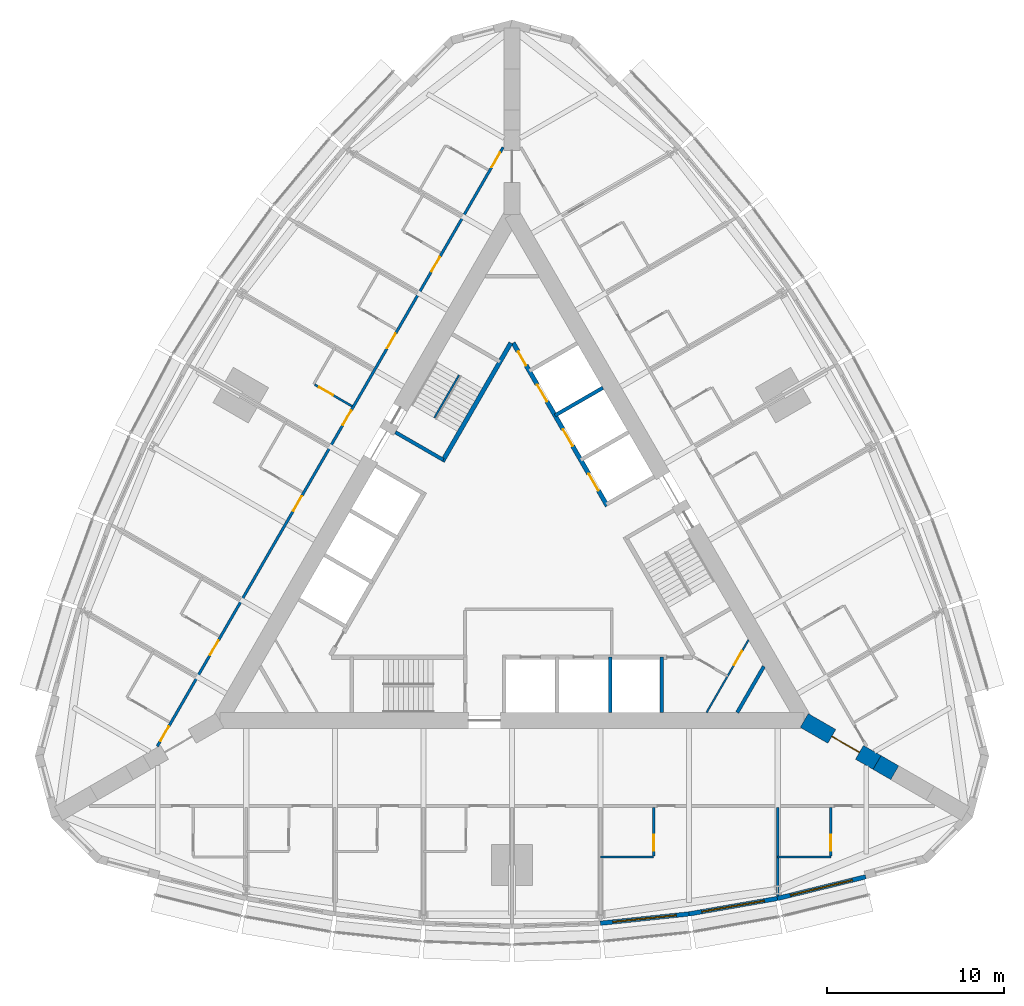
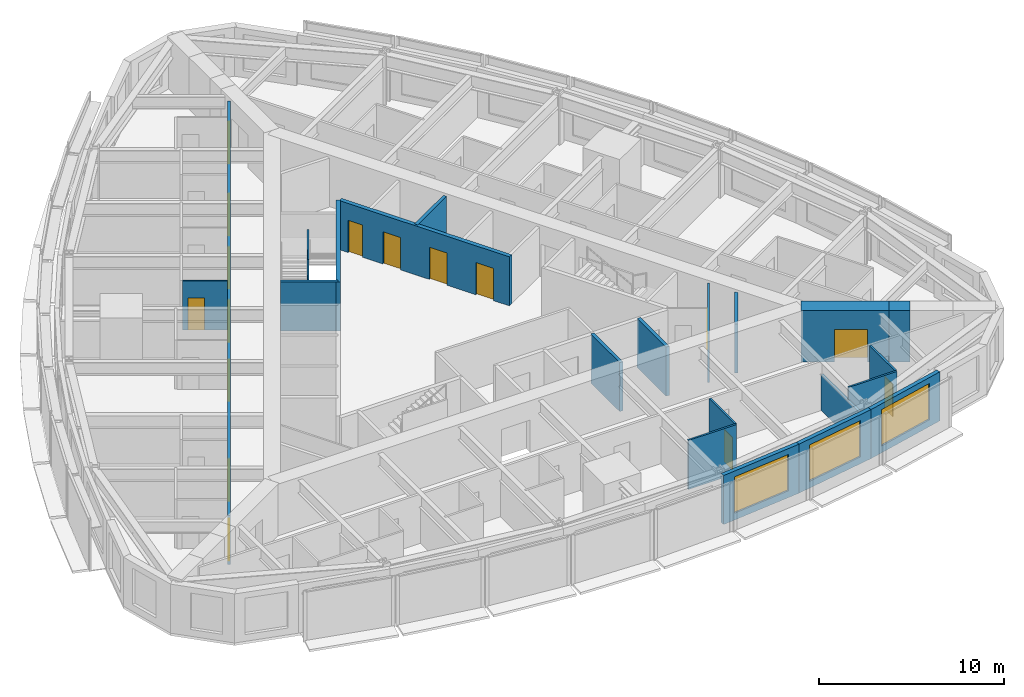
# One storey, part 10 of 14: 21 walls, 16 doors, 3 windows, 19 openings.
"""IFC4 building model written with IfcOpenShell, lengths in metres."""

from ifc_helpers import new_model, si_unit, direction, frame, frame_2d, origin, place, context, subcontext, project, spatial, rectangle, extrude, material, layer, layer_set, type_object, element, fill, save


model = new_model("IFC4")

# Units and contexts
model_context = context("Model", 3, precision=1e-05, world=origin(), true_north=direction((0.0, 1.0)))
body_context = subcontext(model_context, "Body", "Model", "MODEL_VIEW")
ifc_project = project(units=[si_unit("LENGTHUNIT", "METRE"), si_unit("AREAUNIT", "SQUARE_METRE"), si_unit("VOLUMEUNIT", "CUBIC_METRE"), si_unit("PLANEANGLEUNIT", "RADIAN"), si_unit("MASSUNIT", "GRAM", prefix="KILO")], contexts=[model_context])

# Site, building, storey
site_placement = place(None, origin())
site = spatial("IfcSite", under=ifc_project, at=site_placement, CompositionType="ELEMENT")
building_placement = place(site_placement, origin())
building = spatial("IfcBuilding", under=site, at=building_placement, Name="Trikona Tower", CompositionType="ELEMENT")
storey_placement = place(building_placement, frame((0.0, 0.0, 118.10009765625)))
storey = spatial("IfcBuildingStorey", under=building, at=storey_placement, Name="L30", CompositionType="ELEMENT", Elevation=118.10009765625)

# Wall
ifc_material_1 = material(Name="Metal stud and cement board", Category="gypsum")
ifc_layer_1 = layer(ifc_material_1, 0.1201171875)
ifc_layer_set_1 = layer_set([ifc_layer_1], Name="Bathroom wall 120")
wall_type_1 = type_object("IfcWallType", Name="Bathroom wall 120", PredefinedType="PLUMBINGWALL", material=ifc_layer_set_1)
wall_1_placement = place(storey_placement, frame((5.0, -17.226318359375, 0.0), z_axis=(0.0, 0.0, 1.0), x_axis=(1.0, 0.0, 0.0)))
element("IfcWall", 1, at=wall_1_placement, inside=storey, type_object=wall_type_1, Name="Bathroom wall 3005", PredefinedType="PLUMBINGWALL", context=body_context, shape_type="SweptSolid", body=[
    extrude(rectangle(XDim=3.0, YDim=0.1201171875, at=frame_2d((1.5, 0.0))), origin(), (0.0, 0.0, 1.0), 3.23486328125),
])

# Wall, opening, door
wall_2_placement = place(storey_placement, frame((8.0, -14.42626953125, 0.0), z_axis=(0.0, 0.0, 1.0), x_axis=(0.0, -1.0, 0.0)))
wall_2 = element("IfcWall", 2, at=wall_2_placement, inside=storey, type_object=wall_type_1, Name="Bathroom wall 3005", PredefinedType="PLUMBINGWALL", context=body_context, shape_type="SweptSolid", body=[
    extrude(rectangle(XDim=2.739990234375, YDim=0.1201171875, at=frame_2d((1.3701171875, 0.0))), origin(), (0.0, 0.0, 1.0), 3.23486328125),
])
opening_1_placement = place(wall_2_placement, frame((1.550048828125, 0.0, 0.0)))
opening_1 = element("IfcOpeningElement", 3, at=opening_1_placement, cuts=wall_2, Name="Opening D2", PredefinedType="OPENING", context=body_context, shape_type="SweptSolid", body=[
    extrude(rectangle(XDim=0.89990234375, YDim=2.1298828125, at=frame_2d((0.449951171875, 1.06494140625))), frame((0.0, 0.070068359375, 0.0), z_axis=(0.0, -1.0, 0.0), x_axis=(1.0, 0.0, 0.0)), (0.0, 0.0, 1.0), 0.14013671875),
])
ifc_material_2 = material(Name="Steel door frame with solid-core timber leaf", Category="steel")
door_type_1 = type_object("IfcDoorType", Name="Bathroom door 900x2130", OperationType="SLIDING_TO_LEFT", PredefinedType="DOOR", material=ifc_material_2)
door_1_placement = place(opening_1_placement, origin())
door_1 = element("IfcDoor", 4, at=door_1_placement, inside=storey, type_object=door_type_1, Name="Bathroom door 3005", OperationType="SLIDING_TO_LEFT", OverallHeight=2.1298828125, OverallWidth=0.89990234375, PredefinedType="DOOR", context=body_context, shape_type="SweptSolid", body=[
    extrude(rectangle(XDim=0.89990234375, YDim=2.1298828125, at=frame_2d((0.449951171875, 1.06494140625))), frame((0.0, 0.02490234375, 0.0), z_axis=(0.0, -1.0, 0.0), x_axis=(1.0, 0.0, 0.0)), (0.0, 0.0, 1.0), 0.050048828125),
])
fill(opening_1, door_1)

# Wall
wall_3_placement = place(storey_placement, frame((15.0, -17.226318359375, 0.0), z_axis=(0.0, 0.0, 1.0), x_axis=(1.0, 0.0, 0.0)))
element("IfcWall", 5, at=wall_3_placement, inside=storey, type_object=wall_type_1, Name="Bathroom wall 3006", PredefinedType="PLUMBINGWALL", context=body_context, shape_type="SweptSolid", body=[
    extrude(rectangle(XDim=3.0, YDim=0.1201171875, at=frame_2d((1.5, 0.0))), origin(), (0.0, 0.0, 1.0), 3.23486328125),
])

# Wall, opening, door
wall_4_placement = place(storey_placement, frame((18.0, -14.42626953125, 0.0), z_axis=(0.0, 0.0, 1.0), x_axis=(0.0, -1.0, 0.0)))
wall_4 = element("IfcWall", 6, at=wall_4_placement, inside=storey, type_object=wall_type_1, Name="Bathroom wall 3006", PredefinedType="PLUMBINGWALL", context=body_context, shape_type="SweptSolid", body=[
    extrude(rectangle(XDim=2.739990234375, YDim=0.1201171875, at=frame_2d((1.3701171875, 0.0))), origin(), (0.0, 0.0, 1.0), 3.23486328125),
])
opening_2_placement = place(wall_4_placement, frame((1.550048828125, 0.0, 0.0)))
opening_2 = element("IfcOpeningElement", 7, at=opening_2_placement, cuts=wall_4, Name="Opening D2", PredefinedType="OPENING", context=body_context, shape_type="SweptSolid", body=[
    extrude(rectangle(XDim=0.89990234375, YDim=2.1298828125, at=frame_2d((0.449951171875, 1.06494140625))), frame((0.0, 0.070068359375, 0.0), z_axis=(0.0, -1.0, 0.0), x_axis=(1.0, 0.0, 0.0)), (0.0, 0.0, 1.0), 0.14013671875),
])
door_2_placement = place(opening_2_placement, origin())
door_2 = element("IfcDoor", 8, at=door_2_placement, inside=storey, type_object=door_type_1, Name="Bathroom door 3006", OperationType="SLIDING_TO_LEFT", OverallHeight=2.1298828125, OverallWidth=0.89990234375, PredefinedType="DOOR", context=body_context, shape_type="SweptSolid", body=[
    extrude(rectangle(XDim=0.89990234375, YDim=2.1298828125, at=frame_2d((0.449951171875, 1.06494140625))), frame((0.0, 0.02490234375, 0.0), z_axis=(0.0, -1.0, 0.0), x_axis=(1.0, 0.0, 0.0)), (0.0, 0.0, 1.0), 0.050048828125),
])
fill(opening_2, door_2)

wall_5_placement = place(storey_placement, frame((-9.028564453125, 8.21484375, 0.0), z_axis=(0.0, 0.0, 1.0), x_axis=(-0.866023955769, 0.500002508028, 0.0)))
wall_5 = element("IfcWall", 9, at=wall_5_placement, inside=storey, type_object=wall_type_1, Name="Bathroom wall 3016", PredefinedType="PLUMBINGWALL", context=body_context, shape_type="SweptSolid", body=[
    extrude(rectangle(XDim=2.43994140625, YDim=0.1201171875, at=frame_2d((1.219970703125, 0.0))), origin(), (0.0, 0.0, 1.0), 3.23486328125),
])
opening_3_placement = place(wall_5_placement, frame((1.25, 0.0, 0.0)))
opening_3 = element("IfcOpeningElement", 10, at=opening_3_placement, cuts=wall_5, Name="Opening D2", PredefinedType="OPENING", context=body_context, shape_type="SweptSolid", body=[
    extrude(rectangle(XDim=0.89990234375, YDim=2.1298828125, at=frame_2d((0.449951171875, 1.06494140625))), frame((0.0, 0.070068359375, 0.0), z_axis=(0.0, -1.0, 0.0), x_axis=(1.0, 0.0, 0.0)), (0.0, 0.0, 1.0), 0.14013671875),
])
door_3_placement = place(opening_3_placement, origin())
door_3 = element("IfcDoor", 11, at=door_3_placement, inside=storey, type_object=door_type_1, Name="Bathroom door 3016", OperationType="SLIDING_TO_LEFT", OverallHeight=2.1298828125, OverallWidth=0.89990234375, PredefinedType="DOOR", context=body_context, shape_type="SweptSolid", body=[
    extrude(rectangle(XDim=0.89990234375, YDim=2.1298828125, at=frame_2d((0.449951171875, 1.06494140625))), frame((0.0, 0.02490234375, 0.0), z_axis=(0.0, -1.0, 0.0), x_axis=(1.0, 0.0, 0.0)), (0.0, 0.0, 1.0), 0.050048828125),
])
fill(opening_3, door_3)

ifc_material_3 = material(Name="Concrete f'c 10000 psi", Category="concrete")
ifc_layer_2 = layer(ifc_material_3, 0.89990234375)
ifc_layer_set_2 = layer_set([ifc_layer_2], Name="Buttress wall 900")
wall_type_2 = type_object("IfcWallType", Name="Buttress wall 900", PredefinedType="SHEAR", material=ifc_layer_set_2)
wall_6_placement = place(storey_placement, frame((16.5, -9.5263671875, 0.0), z_axis=(0.0, 0.0, 1.0), x_axis=(0.866031398331, -0.499989616998, 0.0)))
wall_6 = element("IfcWall", 12, at=wall_6_placement, inside=storey, type_object=wall_type_2, Name="Buttress wall 1", PredefinedType="SHEAR", context=body_context, shape_type="SweptSolid", body=[
    extrude(rectangle(XDim=4.74609375, YDim=0.89990234375, at=frame_2d((2.373046875, 0.0))), origin(), (0.0, 0.0, 1.0), 3.39990234375),
])
opening_4_placement = place(wall_6_placement, frame((1.800048828125, 0.0, 0.0)))
opening_4 = element("IfcOpeningElement", 13, at=opening_4_placement, cuts=wall_6, Name="Opening D10", PredefinedType="OPENING", context=body_context, shape_type="SweptSolid", body=[
    extrude(rectangle(XDim=1.800048828125, YDim=2.1298828125, at=frame_2d((0.89990234375, 1.06494140625))), frame((0.0, 0.4599609375, 0.0), z_axis=(0.0, -1.0, 0.0), x_axis=(1.0, 0.0, 0.0)), (0.0, 0.0, 1.0), 0.919921875),
])
ifc_material_4 = material(Name="Hollow metal door and frame", Category="steel")
door_type_2 = type_object("IfcDoorType", Name="Cross-corridor door pair 1800x2130", OperationType="DOUBLE_DOOR_DOUBLE_SWING", PredefinedType="DOOR", material=ifc_material_4)
door_4_placement = place(opening_4_placement, origin())
door_4 = element("IfcDoor", 14, at=door_4_placement, inside=storey, type_object=door_type_2, Name="Cross-corridor door 1", OperationType="DOUBLE_DOOR_DOUBLE_SWING", OverallHeight=2.1298828125, OverallWidth=1.800048828125, PredefinedType="DOOR", context=body_context, shape_type="SweptSolid", body=[
    extrude(rectangle(XDim=1.800048828125, YDim=2.1298828125, at=frame_2d((0.89990234375, 1.06494140625))), frame((0.0, 0.02490234375, 0.0), z_axis=(0.0, -1.0, 0.0), x_axis=(1.0, 0.0, 0.0)), (0.0, 0.0, 1.0), 0.050048828125),
])
fill(opening_4, door_4)

# Wall
wall_7_placement = place(storey_placement, frame((20.6103515625, -11.8994140625, 0.0), z_axis=(0.0, 0.0, 1.0), x_axis=(0.866009537788, -0.500027479704, 0.0)))
element("IfcWall", 15, at=wall_7_placement, inside=storey, type_object=wall_type_2, Name="Buttress wall 1 part 2", PredefinedType="SHEAR", context=body_context, shape_type="SweptSolid", body=[
    extrude(rectangle(XDim=1.15478515625, YDim=0.89990234375, at=frame_2d((0.577392578125, 0.0))), origin(), (0.0, 0.0, 1.0), 3.39990234375),
])

# Wall, openings, doors
ifc_material_5 = material(Name="Metal stud and gypsum board, 1-hour", Category="gypsum")
ifc_layer_3 = layer(ifc_material_5, 0.14990234375)
ifc_layer_set_3 = layer_set([ifc_layer_3], Name="Corridor wall 150")
wall_type_3 = type_object("IfcWallType", Name="Corridor wall 150", PredefinedType="PARTITIONING", material=ifc_layer_set_3)
wall_8_placement = place(storey_placement, frame((-0.5, 22.83642578125, 0.0), z_axis=(0.0, 0.0, 1.0), x_axis=(-0.500001677587, -0.866024435227, 0.0)))
wall_8 = element("IfcWall", 16, at=wall_8_placement, inside=storey, type_object=wall_type_3, Name="Corridor wall L30-3", PredefinedType="PARTITIONING", context=body_context, shape_type="SweptSolid", body=[
    extrude(rectangle(XDim=39.053955078125, YDim=0.14990234375, at=frame_2d((19.52685546875, 0.0))), origin(), (0.0, 0.0, 1.0), 3.23486328125),
])
opening_5_placement = place(wall_8_placement, frame((0.35205078125, 0.0, 0.0)))
opening_5 = element("IfcOpeningElement", 17, at=opening_5_placement, cuts=wall_8, Name="Opening D1", PredefinedType="OPENING", context=body_context, shape_type="SweptSolid", body=[
    extrude(rectangle(XDim=0.949951171875, YDim=2.1298828125, at=frame_2d((0.47509765625, 1.06494140625))), frame((0.0, 0.0849609375, 0.0), z_axis=(0.0, -1.0, 0.0), x_axis=(1.0, 0.0, 0.0)), (0.0, 0.0, 1.0), 0.169921875),
])
opening_6_placement = place(wall_8_placement, frame((7.152099609375, 0.0, 0.0)))
opening_6 = element("IfcOpeningElement", 18, at=opening_6_placement, cuts=wall_8, Name="Opening D1", PredefinedType="OPENING", context=body_context, shape_type="SweptSolid", body=[
    extrude(rectangle(XDim=0.949951171875, YDim=2.1298828125, at=frame_2d((0.47509765625, 1.06494140625))), frame((0.0, 0.0849609375, 0.0), z_axis=(0.0, -1.0, 0.0), x_axis=(1.0, 0.0, 0.0)), (0.0, 0.0, 1.0), 0.169921875),
])
opening_7_placement = place(wall_8_placement, frame((12.152099609375, 0.0, 0.0)))
opening_7 = element("IfcOpeningElement", 19, at=opening_7_placement, cuts=wall_8, Name="Opening D1", PredefinedType="OPENING", context=body_context, shape_type="SweptSolid", body=[
    extrude(rectangle(XDim=0.949951171875, YDim=2.1298828125, at=frame_2d((0.47509765625, 1.06494140625))), frame((0.0, 0.0849609375, 0.0), z_axis=(0.0, -1.0, 0.0), x_axis=(1.0, 0.0, 0.0)), (0.0, 0.0, 1.0), 0.169921875),
])
opening_8_placement = place(wall_8_placement, frame((17.152099609375, 0.0, 0.0)))
opening_8 = element("IfcOpeningElement", 20, at=opening_8_placement, cuts=wall_8, Name="Opening D1", PredefinedType="OPENING", context=body_context, shape_type="SweptSolid", body=[
    extrude(rectangle(XDim=0.949951171875, YDim=2.1298828125, at=frame_2d((0.47509765625, 1.06494140625))), frame((0.0, 0.0849609375, 0.0), z_axis=(0.0, -1.0, 0.0), x_axis=(1.0, 0.0, 0.0)), (0.0, 0.0, 1.0), 0.169921875),
])
opening_9_placement = place(wall_8_placement, frame((22.751953125, 0.0, 0.0)))
opening_9 = element("IfcOpeningElement", 21, at=opening_9_placement, cuts=wall_8, Name="Opening D1", PredefinedType="OPENING", context=body_context, shape_type="SweptSolid", body=[
    extrude(rectangle(XDim=0.949951171875, YDim=2.1298828125, at=frame_2d((0.47509765625, 1.06494140625))), frame((0.0, 0.0849609375, 0.0), z_axis=(0.0, -1.0, 0.0), x_axis=(1.0, 0.0, 0.0)), (0.0, 0.0, 1.0), 0.169921875),
])
opening_10_placement = place(wall_8_placement, frame((32.152099609375, 0.0, 0.0)))
opening_10 = element("IfcOpeningElement", 22, at=opening_10_placement, cuts=wall_8, Name="Opening D1", PredefinedType="OPENING", context=body_context, shape_type="SweptSolid", body=[
    extrude(rectangle(XDim=0.949951171875, YDim=2.1298828125, at=frame_2d((0.47509765625, 1.06494140625))), frame((0.0, 0.0849609375, 0.0), z_axis=(0.0, -1.0, 0.0), x_axis=(1.0, 0.0, 0.0)), (0.0, 0.0, 1.0), 0.169921875),
])
opening_11_placement = place(wall_8_placement, frame((37.751953125, 0.0, 0.0)))
opening_11 = element("IfcOpeningElement", 23, at=opening_11_placement, cuts=wall_8, Name="Opening D1", PredefinedType="OPENING", context=body_context, shape_type="SweptSolid", body=[
    extrude(rectangle(XDim=0.949951171875, YDim=2.1298828125, at=frame_2d((0.47509765625, 1.06494140625))), frame((0.0, 0.0849609375, 0.0), z_axis=(0.0, -1.0, 0.0), x_axis=(1.0, 0.0, 0.0)), (0.0, 0.0, 1.0), 0.169921875),
])
ifc_material_6 = material(Name="Steel door frame with solid-core timber leaf", Category="steel")
door_type_3 = type_object("IfcDoorType", Name="Guest room door 950x2130", OperationType="SINGLE_SWING_LEFT", PredefinedType="DOOR", material=ifc_material_6)
door_5_placement = place(opening_5_placement, origin())
door_5 = element("IfcDoor", 24, at=door_5_placement, inside=storey, type_object=door_type_3, Name="Room door 3013", OperationType="SINGLE_SWING_LEFT", OverallHeight=2.1298828125, OverallWidth=0.949951171875, PredefinedType="DOOR", context=body_context, shape_type="SweptSolid", body=[
    extrude(rectangle(XDim=0.949951171875, YDim=2.1298828125, at=frame_2d((0.47509765625, 1.06494140625))), frame((0.0, 0.02490234375, 0.0), z_axis=(0.0, -1.0, 0.0), x_axis=(1.0, 0.0, 0.0)), (0.0, 0.0, 1.0), 0.050048828125),
])
fill(opening_5, door_5)
door_6_placement = place(opening_6_placement, origin())
door_6 = element("IfcDoor", 25, at=door_6_placement, inside=storey, type_object=door_type_3, Name="Room door 3014", OperationType="SINGLE_SWING_RIGHT", OverallHeight=2.1298828125, OverallWidth=0.949951171875, PredefinedType="DOOR", context=body_context, shape_type="SweptSolid", body=[
    extrude(rectangle(XDim=0.949951171875, YDim=2.1298828125, at=frame_2d((0.47509765625, 1.06494140625))), frame((0.0, 0.02490234375, 0.0), z_axis=(0.0, -1.0, 0.0), x_axis=(1.0, 0.0, 0.0)), (0.0, 0.0, 1.0), 0.050048828125),
])
fill(opening_6, door_6)
door_7_placement = place(opening_7_placement, origin())
door_7 = element("IfcDoor", 26, at=door_7_placement, inside=storey, type_object=door_type_3, Name="Room door 3015", OperationType="SINGLE_SWING_LEFT", OverallHeight=2.1298828125, OverallWidth=0.949951171875, PredefinedType="DOOR", context=body_context, shape_type="SweptSolid", body=[
    extrude(rectangle(XDim=0.949951171875, YDim=2.1298828125, at=frame_2d((0.47509765625, 1.06494140625))), frame((0.0, 0.02490234375, 0.0), z_axis=(0.0, -1.0, 0.0), x_axis=(1.0, 0.0, 0.0)), (0.0, 0.0, 1.0), 0.050048828125),
])
fill(opening_7, door_7)
door_8_placement = place(opening_8_placement, origin())
door_8 = element("IfcDoor", 27, at=door_8_placement, inside=storey, type_object=door_type_3, Name="Room door 3016", OperationType="SINGLE_SWING_RIGHT", OverallHeight=2.1298828125, OverallWidth=0.949951171875, PredefinedType="DOOR", context=body_context, shape_type="SweptSolid", body=[
    extrude(rectangle(XDim=0.949951171875, YDim=2.1298828125, at=frame_2d((0.47509765625, 1.06494140625))), frame((0.0, 0.02490234375, 0.0), z_axis=(0.0, -1.0, 0.0), x_axis=(1.0, 0.0, 0.0)), (0.0, 0.0, 1.0), 0.050048828125),
])
fill(opening_8, door_8)
door_9_placement = place(opening_9_placement, origin())
door_9 = element("IfcDoor", 28, at=door_9_placement, inside=storey, type_object=door_type_3, Name="Room door 3017", OperationType="SINGLE_SWING_LEFT", OverallHeight=2.1298828125, OverallWidth=0.949951171875, PredefinedType="DOOR", context=body_context, shape_type="SweptSolid", body=[
    extrude(rectangle(XDim=0.949951171875, YDim=2.1298828125, at=frame_2d((0.47509765625, 1.06494140625))), frame((0.0, 0.02490234375, 0.0), z_axis=(0.0, -1.0, 0.0), x_axis=(1.0, 0.0, 0.0)), (0.0, 0.0, 1.0), 0.050048828125),
])
fill(opening_9, door_9)
door_10_placement = place(opening_10_placement, origin())
door_10 = element("IfcDoor", 29, at=door_10_placement, inside=storey, type_object=door_type_3, Name="Room door 3018", OperationType="SINGLE_SWING_RIGHT", OverallHeight=2.1298828125, OverallWidth=0.949951171875, PredefinedType="DOOR", context=body_context, shape_type="SweptSolid", body=[
    extrude(rectangle(XDim=0.949951171875, YDim=2.1298828125, at=frame_2d((0.47509765625, 1.06494140625))), frame((0.0, 0.02490234375, 0.0), z_axis=(0.0, -1.0, 0.0), x_axis=(1.0, 0.0, 0.0)), (0.0, 0.0, 1.0), 0.050048828125),
])
fill(opening_10, door_10)
door_11_placement = place(opening_11_placement, origin())
door_11 = element("IfcDoor", 30, at=door_11_placement, inside=storey, type_object=door_type_3, Name="Room door 3019", OperationType="SINGLE_SWING_RIGHT", OverallHeight=2.1298828125, OverallWidth=0.949951171875, PredefinedType="DOOR", context=body_context, shape_type="SweptSolid", body=[
    extrude(rectangle(XDim=0.949951171875, YDim=2.1298828125, at=frame_2d((0.47509765625, 1.06494140625))), frame((0.0, 0.02490234375, 0.0), z_axis=(0.0, -1.0, 0.0), x_axis=(1.0, 0.0, 0.0)), (0.0, 0.0, 1.0), 0.050048828125),
])
fill(opening_11, door_11)

ifc_material_7 = material(Name="Concrete f'c 8000 psi", Category="concrete")
ifc_layer_4 = layer(ifc_material_7, 0.25)
ifc_layer_set_4 = layer_set([ifc_layer_4], Name="Hub wall 250")
wall_type_4 = type_object("IfcWallType", Name="Hub wall 250", PredefinedType="SOLIDWALL", material=ifc_layer_set_4)
wall_9_placement = place(storey_placement, frame((5.37890625, 2.5859375, 0.0), z_axis=(0.0, 0.0, 1.0), x_axis=(-0.500001375892, 0.866024609411, 0.0)))
wall_9 = element("IfcWall", 31, at=wall_9_placement, inside=storey, type_object=wall_type_4, Name="Lift lobby wall B2", PredefinedType="SOLIDWALL", context=body_context, shape_type="SweptSolid", body=[
    extrude(rectangle(XDim=10.6328125, YDim=0.25, at=frame_2d((5.31640625, 0.0))), origin(), (0.0, 0.0, 1.0), 3.23486328125),
])
opening_12_placement = place(wall_9_placement, frame((9.1640625, 0.0, 0.0)))
opening_12 = element("IfcOpeningElement", 32, at=opening_12_placement, cuts=wall_9, Name="Opening D14", PredefinedType="OPENING", context=body_context, shape_type="SweptSolid", body=[
    extrude(rectangle(XDim=0.89990234375, YDim=2.1298828125, at=frame_2d((0.449951171875, 1.06494140625))), frame((0.0, 0.135009765625, 0.0), z_axis=(0.0, -1.0, 0.0), x_axis=(1.0, 0.0, 0.0)), (0.0, 0.0, 1.0), 0.27001953125),
])
opening_13_placement = place(wall_9_placement, frame((1.0, 0.0, 0.0)))
opening_13 = element("IfcOpeningElement", 33, at=opening_13_placement, cuts=wall_9, Name="Opening LD", PredefinedType="OPENING", context=body_context, shape_type="SweptSolid", body=[
    extrude(rectangle(XDim=1.10009765625, YDim=2.1298828125, at=frame_2d((0.550048828125, 1.06494140625))), frame((0.0, 0.135009765625, 0.0), z_axis=(0.0, -1.0, 0.0), x_axis=(1.0, 0.0, 0.0)), (0.0, 0.0, 1.0), 0.27001953125),
])
opening_14_placement = place(wall_9_placement, frame((3.89990234375, 0.0, 0.0)))
opening_14 = element("IfcOpeningElement", 34, at=opening_14_placement, cuts=wall_9, Name="Opening LD", PredefinedType="OPENING", context=body_context, shape_type="SweptSolid", body=[
    extrude(rectangle(XDim=1.10009765625, YDim=2.1298828125, at=frame_2d((0.550048828125, 1.06494140625))), frame((0.0, 0.135009765625, 0.0), z_axis=(0.0, -1.0, 0.0), x_axis=(1.0, 0.0, 0.0)), (0.0, 0.0, 1.0), 0.27001953125),
])
opening_15_placement = place(wall_9_placement, frame((6.800048828125, 0.0, 0.0)))
opening_15 = element("IfcOpeningElement", 35, at=opening_15_placement, cuts=wall_9, Name="Opening LD", PredefinedType="OPENING", context=body_context, shape_type="SweptSolid", body=[
    extrude(rectangle(XDim=1.10009765625, YDim=2.1298828125, at=frame_2d((0.550048828125, 1.06494140625))), frame((0.0, 0.135009765625, 0.0), z_axis=(0.0, -1.0, 0.0), x_axis=(1.0, 0.0, 0.0)), (0.0, 0.0, 1.0), 0.27001953125),
])
ifc_material_8 = material(Name="Stainless steel lift landing door", Category="steel")
door_type_4 = type_object("IfcDoorType", Name="Lift landing door 1100x2130", OperationType="DOUBLE_DOOR_SLIDING", PredefinedType="USERDEFINED", material=ifc_material_8)
door_12_placement = place(opening_13_placement, origin())
door_12 = element("IfcDoor", 36, at=door_12_placement, inside=storey, type_object=door_type_4, Name="Lift landing door L2-1", ObjectType="LIFT LANDING DOOR", OperationType="DOUBLE_DOOR_SLIDING", OverallHeight=2.1298828125, OverallWidth=1.10009765625, PredefinedType="USERDEFINED", context=body_context, shape_type="SweptSolid", body=[
    extrude(rectangle(XDim=1.10009765625, YDim=2.1298828125, at=frame_2d((0.550048828125, 1.06494140625))), frame((0.0, 0.02490234375, 0.0), z_axis=(0.0, -1.0, 0.0), x_axis=(1.0, 0.0, 0.0)), (0.0, 0.0, 1.0), 0.050048828125),
])
fill(opening_13, door_12)
door_13_placement = place(opening_14_placement, origin())
door_13 = element("IfcDoor", 37, at=door_13_placement, inside=storey, type_object=door_type_4, Name="Lift landing door L2-2", ObjectType="LIFT LANDING DOOR", OperationType="DOUBLE_DOOR_SLIDING", OverallHeight=2.1298828125, OverallWidth=1.10009765625, PredefinedType="USERDEFINED", context=body_context, shape_type="SweptSolid", body=[
    extrude(rectangle(XDim=1.10009765625, YDim=2.1298828125, at=frame_2d((0.550048828125, 1.06494140625))), frame((0.0, 0.02490234375, 0.0), z_axis=(0.0, -1.0, 0.0), x_axis=(1.0, 0.0, 0.0)), (0.0, 0.0, 1.0), 0.050048828125),
])
fill(opening_14, door_13)
door_14_placement = place(opening_15_placement, origin())
door_14 = element("IfcDoor", 38, at=door_14_placement, inside=storey, type_object=door_type_4, Name="Lift landing door L2-3", ObjectType="LIFT LANDING DOOR", OperationType="DOUBLE_DOOR_SLIDING", OverallHeight=2.1298828125, OverallWidth=1.10009765625, PredefinedType="USERDEFINED", context=body_context, shape_type="SweptSolid", body=[
    extrude(rectangle(XDim=1.10009765625, YDim=2.1298828125, at=frame_2d((0.550048828125, 1.06494140625))), frame((0.0, 0.02490234375, 0.0), z_axis=(0.0, -1.0, 0.0), x_axis=(1.0, 0.0, 0.0)), (0.0, 0.0, 1.0), 0.050048828125),
])
fill(opening_15, door_14)
ifc_material_9 = material(Name="Hollow metal door and frame", Category="steel")
door_type_5 = type_object("IfcDoorType", Name="Service room door 900x2130", OperationType="SINGLE_SWING_LEFT", PredefinedType="DOOR", material=ifc_material_9)
door_15_placement = place(opening_12_placement, origin())
door_15 = element("IfcDoor", 39, at=door_15_placement, inside=storey, type_object=door_type_5, Name="Door Linen store LIN", OperationType="SINGLE_SWING_RIGHT", OverallHeight=2.1298828125, OverallWidth=0.89990234375, PredefinedType="DOOR", context=body_context, shape_type="SweptSolid", body=[
    extrude(rectangle(XDim=0.89990234375, YDim=2.1298828125, at=frame_2d((0.449951171875, 1.06494140625))), frame((0.0, 0.02490234375, 0.0), z_axis=(0.0, -1.0, 0.0), x_axis=(1.0, 0.0, 0.0)), (0.0, 0.0, 1.0), 0.050048828125),
])
fill(opening_12, door_15)

# Wall
wall_10_placement = place(storey_placement, frame((-0.0625, 11.794189453125, 0.0), z_axis=(0.0, 0.0, 1.0), x_axis=(-0.500006680225, -0.86602154692, 0.0)))
element("IfcWall", 40, at=wall_10_placement, inside=storey, type_object=wall_type_4, Name="Lift lobby wall C1", PredefinedType="SOLIDWALL", context=body_context, shape_type="SweptSolid", body=[
    extrude(rectangle(XDim=7.73291015625, YDim=0.25, at=frame_2d((3.866455078125, 0.0))), origin(), (0.0, 0.0, 1.0), 3.23486328125),
])

# Wall, opening, window
ifc_material_10 = material(Name="Insulated precast concrete spandrel panel", Category="concrete")
ifc_layer_5 = layer(ifc_material_10, 0.25)
ifc_layer_set_5 = layer_set([ifc_layer_5], Name="Inner skin wall 250")
wall_type_5 = type_object("IfcWallType", Name="Inner skin wall 250", PredefinedType="STANDARD", material=ifc_layer_set_5)
wall_11_placement = place(storey_placement, frame((4.98681640625, -20.975830078125, 0.0), z_axis=(0.0, 0.0, 1.0), x_axis=(0.994534683851, 0.104406717299, 0.0)))
wall_11 = element("IfcWall", 41, at=wall_11_placement, inside=storey, type_object=wall_type_5, Name="External wall L30-05", PredefinedType="STANDARD", context=body_context, shape_type="SweptSolid", body=[
    extrude(rectangle(XDim=5.027587890625, YDim=0.25, at=frame_2d((2.513671875, 0.0))), origin(), (0.0, 0.0, 1.0), 3.23486328125),
])
opening_16_placement = place(wall_11_placement, frame((0.713623046875, 0.0, 0.449951171875)))
opening_16 = element("IfcOpeningElement", 42, at=opening_16_placement, cuts=wall_11, Name="Opening W3624", PredefinedType="OPENING", context=body_context, shape_type="SweptSolid", body=[
    extrude(rectangle(XDim=3.60009765625, YDim=2.39990234375, at=frame_2d((1.800048828125, 1.199951171875))), frame((0.0, 0.135009765625, 0.0), z_axis=(0.0, -1.0, 0.0), x_axis=(1.0, 0.0, 0.0)), (0.0, 0.0, 1.0), 0.27001953125),
])
ifc_material_11 = material(Name="Aluminium-framed double glazing", Category="aluminium")
window_type = type_object("IfcWindowType", Name="Window 3600x2400", PartitioningType="SINGLE_PANEL", PredefinedType="WINDOW", material=ifc_material_11)
window_1_placement = place(opening_16_placement, origin())
window_1 = element("IfcWindow", 43, at=window_1_placement, inside=storey, type_object=window_type, Name="Window 3005", OverallHeight=2.39990234375, OverallWidth=3.60009765625, PartitioningType="SINGLE_PANEL", PredefinedType="WINDOW", context=body_context, shape_type="SweptSolid", body=[
    extrude(rectangle(XDim=3.60009765625, YDim=2.39990234375, at=frame_2d((1.800048828125, 1.199951171875))), frame((0.0, 0.030029296875, 0.0), z_axis=(0.0, -1.0, 0.0), x_axis=(1.0, 0.0, 0.0)), (0.0, 0.0, 1.0), 0.06005859375),
])
fill(opening_16, window_1)

wall_12_placement = place(storey_placement, frame((9.978515625, -20.4521484375, 0.0), z_axis=(0.0, 0.0, 1.0), x_axis=(0.985030467156, 0.172380331752, 0.0)))
wall_12 = element("IfcWall", 44, at=wall_12_placement, inside=storey, type_object=wall_type_5, Name="External wall L30-06", PredefinedType="STANDARD", context=body_context, shape_type="SweptSolid", body=[
    extrude(rectangle(XDim=5.075927734375, YDim=0.25, at=frame_2d((2.5380859375, 0.0))), origin(), (0.0, 0.0, 1.0), 3.23486328125),
])
opening_17_placement = place(wall_12_placement, frame((0.738037109375, 0.0, 0.449951171875)))
opening_17 = element("IfcOpeningElement", 45, at=opening_17_placement, cuts=wall_12, Name="Opening W3624", PredefinedType="OPENING", context=body_context, shape_type="SweptSolid", body=[
    extrude(rectangle(XDim=3.60009765625, YDim=2.39990234375, at=frame_2d((1.800048828125, 1.199951171875))), frame((0.0, 0.135009765625, 0.0), z_axis=(0.0, -1.0, 0.0), x_axis=(1.0, 0.0, 0.0)), (0.0, 0.0, 1.0), 0.27001953125),
])
window_2_placement = place(opening_17_placement, origin())
window_2 = element("IfcWindow", 46, at=window_2_placement, inside=storey, type_object=window_type, Name="Window 3005", OverallHeight=2.39990234375, OverallWidth=3.60009765625, PartitioningType="SINGLE_PANEL", PredefinedType="WINDOW", context=body_context, shape_type="SweptSolid", body=[
    extrude(rectangle(XDim=3.60009765625, YDim=2.39990234375, at=frame_2d((1.800048828125, 1.199951171875))), frame((0.0, 0.030029296875, 0.0), z_axis=(0.0, -1.0, 0.0), x_axis=(1.0, 0.0, 0.0)), (0.0, 0.0, 1.0), 0.06005859375),
])
fill(opening_17, window_2)

wall_13_placement = place(storey_placement, frame((14.97021484375, -19.578857421875, 0.0), z_axis=(0.0, 0.0, 1.0), x_axis=(0.971270024053, 0.237980126011, 0.0)))
wall_13 = element("IfcWall", 47, at=wall_13_placement, inside=storey, type_object=wall_type_5, Name="External wall L30-07", PredefinedType="STANDARD", context=body_context, shape_type="SweptSolid", body=[
    extrude(rectangle(XDim=5.14794921875, YDim=0.25, at=frame_2d((2.573974609375, 0.0))), origin(), (0.0, 0.0, 1.0), 3.23486328125),
])
opening_18_placement = place(wall_13_placement, frame((0.77392578125, 0.0, 0.449951171875)))
opening_18 = element("IfcOpeningElement", 48, at=opening_18_placement, cuts=wall_13, Name="Opening W3624", PredefinedType="OPENING", context=body_context, shape_type="SweptSolid", body=[
    extrude(rectangle(XDim=3.60009765625, YDim=2.39990234375, at=frame_2d((1.800048828125, 1.199951171875))), frame((0.0, 0.135009765625, 0.0), z_axis=(0.0, -1.0, 0.0), x_axis=(1.0, 0.0, 0.0)), (0.0, 0.0, 1.0), 0.27001953125),
])
window_3_placement = place(opening_18_placement, origin())
window_3 = element("IfcWindow", 49, at=window_3_placement, inside=storey, type_object=window_type, Name="Window 3006", OverallHeight=2.39990234375, OverallWidth=3.60009765625, PartitioningType="SINGLE_PANEL", PredefinedType="WINDOW", context=body_context, shape_type="SweptSolid", body=[
    extrude(rectangle(XDim=3.60009765625, YDim=2.39990234375, at=frame_2d((1.800048828125, 1.199951171875))), frame((0.0, 0.030029296875, 0.0), z_axis=(0.0, -1.0, 0.0), x_axis=(1.0, 0.0, 0.0)), (0.0, 0.0, 1.0), 0.06005859375),
])
fill(opening_18, window_3)

# Walls
ifc_material_12 = material(Name="Metal stud and gypsum board, 1-hour acoustic", Category="gypsum")
ifc_layer_6 = layer(ifc_material_12, 0.14990234375)
ifc_layer_set_6 = layer_set([ifc_layer_6], Name="Party wall 150")
wall_type_6 = type_object("IfcWallType", Name="Party wall 150", PredefinedType="PARTITIONING", material=ifc_layer_set_6)
wall_14_placement = place(storey_placement, frame((15.0, -14.42626953125, 0.0), z_axis=(0.0, 0.0, 1.0), x_axis=(0.0, -1.0, 0.0)))
element("IfcWall", 50, at=wall_14_placement, inside=storey, type_object=wall_type_6, Name="Partition L30 F1 u15", PredefinedType="PARTITIONING", context=body_context, shape_type="SweptSolid", body=[
    extrude(rectangle(XDim=5.0166015625, YDim=0.14990234375, at=frame_2d((2.50830078125, 0.0))), origin(), (0.0, 0.0, 1.0), 2.38916015625),
])
ifc_material_13 = material(Name="Concrete f'c 8000 psi", Category="concrete")
ifc_layer_7 = layer(ifc_material_13, 0.199951171875)
ifc_layer_set_7 = layer_set([ifc_layer_7], Name="Shaft wall 200")
wall_type_7 = type_object("IfcWallType", Name="Shaft wall 200", PredefinedType="SOLIDWALL", material=ifc_layer_set_7)
for number, where, z_axis, x_axis, name in (
    (51, (5.550048828125, -5.951416015625, 0.0), (0.0, 0.0, 1.0), (0.0, -1.0, 0.0), "Shaft wall A5"),
    (52, (8.449951171875, -5.951416015625, 0.0), (0.0, 0.0, 1.0), (0.0, -1.0, 0.0), "Shaft wall A6"),
    (53, (2.428955078125, 7.695556640625, 0.0), (0.0, 0.0, 1.0), (0.866022959057, 0.500004234368, 0.0), "Shaft wall B5"),
):
    element("IfcWall", number, at=place(storey_placement, frame(where, z_axis=z_axis, x_axis=x_axis)), inside=storey, type_object=wall_type_7, Name=name, PredefinedType="SOLIDWALL", context=body_context, shape_type="SweptSolid", body=[
        extrude(rectangle(XDim=3.125, YDim=0.199951171875, at=frame_2d((1.5625, 0.0))), origin(), (0.0, 0.0, 1.0), 3.23486328125),
    ])
wall_15_placement = place(storey_placement, frame((14.219482421875, -6.476318359375, 0.0), z_axis=(0.0, 0.0, 1.0), x_axis=(-0.499952404951, -0.866052881055, 0.0)))
element("IfcWall", 54, at=wall_15_placement, inside=storey, type_object=wall_type_7, Name="Riser wall L30-RS1", PredefinedType="SOLIDWALL", context=body_context, shape_type="SweptSolid", body=[
    extrude(rectangle(XDim=3.002197265625, YDim=0.199951171875, at=frame_2d((1.5009765625, 0.0))), origin(), (0.0, 0.0, 1.0), 3.23486328125),
])
ifc_material_14 = material(Name="Concrete f'c 8000 psi", Category="concrete")
ifc_layer_8 = layer(ifc_material_14, 0.199951171875)
ifc_layer_set_8 = layer_set([ifc_layer_8], Name="Shaft wall 200 load-bearing")
wall_type_8 = type_object("IfcWallType", Name="Shaft wall 200 load-bearing", PredefinedType="SOLIDWALL", material=ifc_layer_set_8)
wall_16_placement = place(storey_placement, frame((-3.87890625, 5.18408203125, 0.0), z_axis=(0.0, 0.0, 1.0), x_axis=(-0.866022959057, 0.500004234368, 0.0)))
element("IfcWall", 55, at=wall_16_placement, inside=storey, type_object=wall_type_8, Name="Shaft wall C2", PredefinedType="SOLIDWALL", context=body_context, shape_type="SweptSolid", body=[
    extrude(rectangle(XDim=3.125, YDim=0.199951171875, at=frame_2d((1.5625, 0.0))), origin(), (0.0, 0.0, 1.0), 3.23486328125),
])
ifc_material_15 = material(Name="Concrete f'c 5000 psi", Category="concrete")
ifc_layer_9 = layer(ifc_material_15, 0.10009765625)
ifc_layer_set_9 = layer_set([ifc_layer_9], Name="Stair spine wall 100")
wall_type_9 = type_object("IfcWallType", Name="Stair spine wall 100", PredefinedType="SOLIDWALL", material=ifc_layer_set_9)
wall_17_placement = place(storey_placement, frame((-2.98779296875, 9.9775390625, 0.0), z_axis=(0.0, 0.0, 1.0), x_axis=(-0.499992232847, -0.866029888106, 0.0)))
element("IfcWall", 56, at=wall_17_placement, inside=storey, type_object=wall_type_9, Name="Stair C spine wall L30", PredefinedType="SOLIDWALL", context=body_context, shape_type="SweptSolid", body=[
    extrude(rectangle(XDim=2.7939453125, YDim=0.10009765625, at=frame_2d((1.39697265625, 0.0))), origin(), (0.0, 0.0, 1.0), 3.39990234375),
])

# Wall, opening, door
ifc_material_16 = material(Name="Metal stud and gypsum board, acoustic", Category="gypsum")
ifc_layer_10 = layer(ifc_material_16, 0.10009765625)
ifc_layer_set_10 = layer_set([ifc_layer_10], Name="Suite partition 100")
wall_type_10 = type_object("IfcWallType", Name="Suite partition 100", PredefinedType="PARTITIONING", material=ifc_layer_set_10)
wall_18_placement = place(storey_placement, frame((13.353515625, -4.976318359375, 0.0), z_axis=(0.0, 0.0, 1.0), x_axis=(-0.499999210213, -0.866025859768, 0.0)))
wall_18 = element("IfcWall", 57, at=wall_18_placement, inside=storey, type_object=wall_type_10, Name="Store partition L30-RS1", PredefinedType="PARTITIONING", context=body_context, shape_type="SweptSolid", body=[
    extrude(rectangle(XDim=4.734375, YDim=0.10009765625, at=frame_2d((2.3671875, 0.0))), origin(), (0.0, 0.0, 1.0), 3.23486328125),
])
opening_19_placement = place(wall_18_placement, frame((0.733642578125, 0.0, 0.0)))
opening_19 = element("IfcOpeningElement", 58, at=opening_19_placement, cuts=wall_18, Name="Opening D15", PredefinedType="OPENING", context=body_context, shape_type="SweptSolid", body=[
    extrude(rectangle(XDim=0.89990234375, YDim=2.1298828125, at=frame_2d((0.449951171875, 1.06494140625))), frame((0.0, 0.06005859375, 0.0), z_axis=(0.0, -1.0, 0.0), x_axis=(1.0, 0.0, 0.0)), (0.0, 0.0, 1.0), 0.1201171875),
])
ifc_material_17 = material(Name="Steel door frame with solid-core timber leaf", Category="steel")
door_type_6 = type_object("IfcDoorType", Name="Store door 900x2130", OperationType="SINGLE_SWING_LEFT", PredefinedType="DOOR", material=ifc_material_17)
door_16_placement = place(opening_19_placement, origin())
door_16 = element("IfcDoor", 59, at=door_16_placement, inside=storey, type_object=door_type_6, Name="Door Amenity store AMS", OperationType="SINGLE_SWING_LEFT", OverallHeight=2.1298828125, OverallWidth=0.89990234375, PredefinedType="DOOR", context=body_context, shape_type="SweptSolid", body=[
    extrude(rectangle(XDim=0.89990234375, YDim=2.1298828125, at=frame_2d((0.449951171875, 1.06494140625))), frame((0.0, 0.02490234375, 0.0), z_axis=(0.0, -1.0, 0.0), x_axis=(1.0, 0.0, 0.0)), (0.0, 0.0, 1.0), 0.050048828125),
])
fill(opening_19, door_16)

save(model, "model.ifc")
